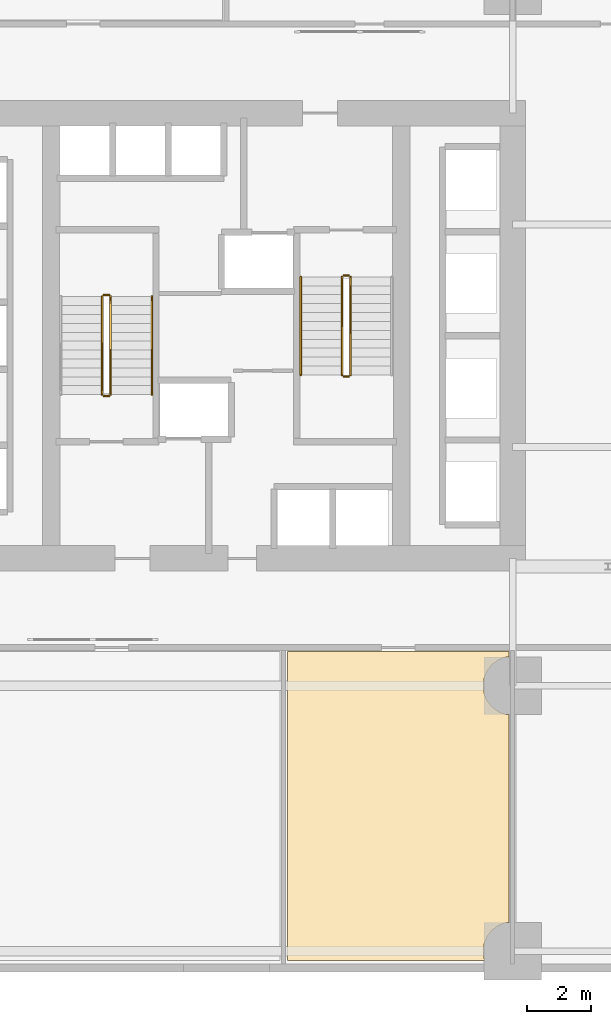
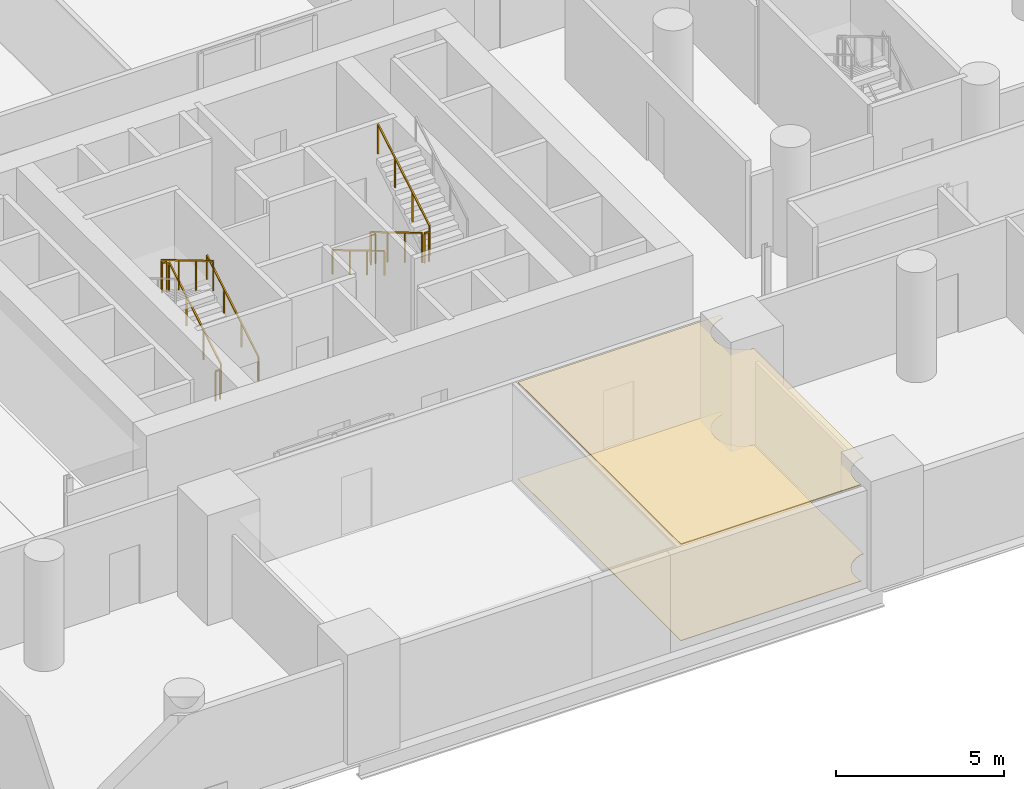
# One storey, part 13 of 15: 10 railings, 2 coverings.
"""IFC4 building model written with IfcOpenShell, lengths in metres."""

from ifc_helpers import new_model, si_unit, direction, frame, origin, origin_2d, place, context, subcontext, project, spatial, polyline, rectangle, outline, extrude, material, layer, layer_set, type_object, element, save


model = new_model("IFC4")

# Units and contexts
model_context = context("Model", 3, precision=1e-05, world=origin(), true_north=direction((0.0, 1.0)))
body_context = subcontext(model_context, "Body", "Model", "MODEL_VIEW")
ifc_project = project(units=[si_unit("LENGTHUNIT", "METRE"), si_unit("AREAUNIT", "SQUARE_METRE"), si_unit("VOLUMEUNIT", "CUBIC_METRE"), si_unit("PLANEANGLEUNIT", "RADIAN"), si_unit("MASSUNIT", "GRAM", prefix="KILO")], contexts=[model_context])

# Site, building, storey
site_placement = place(None, origin())
site = spatial("IfcSite", under=ifc_project, at=site_placement, CompositionType="ELEMENT")
building_placement = place(site_placement, origin())
building = spatial("IfcBuilding", under=site, at=building_placement, Name="Veldorim Arch Residences", CompositionType="ELEMENT")
storey_placement = place(building_placement, frame((0.0, 0.0, 16.0)))
storey = spatial("IfcBuildingStorey", under=building, at=storey_placement, Name="L04", CompositionType="ELEMENT", Elevation=16.0)

# Railings
ifc_material_1 = material(Name="Steel S355", Category="steel")
railing_type_1 = type_object("IfcRailingType", Name="Galvanised Steel Stair Safety Guardrail 1100", PredefinedType="GUARDRAIL", material=ifc_material_1)
railing_1_placement = place(storey_placement, frame((28.360107421875, 22.14990234375, 0.166748046875)))
element("IfcRailing", 1, at=railing_1_placement, inside=storey, type_object=railing_type_1, Name="L04 ST-1 stair guard 1", PredefinedType="GUARDRAIL", context=body_context, shape_type="SweptSolid", body=[
    extrude(rectangle(XDim=0.048095703125, YDim=0.048095703125, at=origin_2d()), frame((0.0, 0.0, 1.076171875), z_axis=(0.0, 0.859308565015, 0.511457515432), x_axis=(-1.0, 0.0, 0.0)), (0.0, 0.0, 1.0), 3.58447265625),
    extrude(rectangle(XDim=0.0419921875, YDim=0.0419921875, at=origin_2d()), origin(), (0.0, 0.0, 1.0), 1.052001953125),
    extrude(rectangle(XDim=0.0419921875, YDim=0.0419921875, at=origin_2d()), frame((0.0, 1.026611328125, 0.611083984375)), (0.0, 0.0, 1.0), 1.052001953125),
    extrude(rectangle(XDim=0.0419921875, YDim=0.0419921875, at=origin_2d()), frame((0.0, 2.053466796875, 1.22216796875)), (0.0, 0.0, 1.0), 1.052001953125),
    extrude(rectangle(XDim=0.0419921875, YDim=0.0419921875, at=origin_2d()), frame((0.0, 3.080078125, 1.833251953125)), (0.0, 0.0, 1.0), 1.052001953125),
])
railing_2_placement = place(storey_placement, frame((28.31005859375, 25.280029296875, 2.0)))
element("IfcRailing", 2, at=railing_2_placement, inside=storey, type_object=railing_type_1, Name="L04 ST-1 stair guard 2", PredefinedType="GUARDRAIL", context=body_context, shape_type="SweptSolid", body=[
    extrude(rectangle(XDim=0.048095703125, YDim=0.048095703125, at=origin_2d()), frame((0.0, 0.0, 1.076171875), z_axis=(-1.0, 0.0, 0.0), x_axis=(0.0, -1.0, 0.0)), (0.0, 0.0, 1.0), 0.16015625),
    extrude(rectangle(XDim=0.0419921875, YDim=0.0419921875, at=origin_2d()), origin(), (0.0, 0.0, 1.0), 1.052001953125),
    extrude(rectangle(XDim=0.0419921875, YDim=0.0419921875, at=origin_2d()), frame((-0.16015625, 0.0, 0.0)), (0.0, 0.0, 1.0), 1.052001953125),
])
railing_3_placement = place(storey_placement, frame((28.10009765625, 25.22998046875, 2.166748046875)))
element("IfcRailing", 3, at=railing_3_placement, inside=storey, type_object=railing_type_1, Name="L04 ST-1 stair guard 3", PredefinedType="GUARDRAIL", context=body_context, shape_type="SweptSolid", body=[
    extrude(rectangle(XDim=0.048095703125, YDim=0.048095703125, at=origin_2d()), frame((0.0, 0.0, 1.076171875), z_axis=(0.0, -0.859308565015, 0.511457515432), x_axis=(1.0, 0.0, 0.0)), (0.0, 0.0, 1.0), 3.58447265625),
    extrude(rectangle(XDim=0.0419921875, YDim=0.0419921875, at=origin_2d()), origin(), (0.0, 0.0, 1.0), 1.052001953125),
    extrude(rectangle(XDim=0.0419921875, YDim=0.0419921875, at=origin_2d()), frame((0.0, -1.026611328125, 0.611083984375)), (0.0, 0.0, 1.0), 1.052001953125),
    extrude(rectangle(XDim=0.0419921875, YDim=0.0419921875, at=origin_2d()), frame((0.0, -2.053466796875, 1.22216796875)), (0.0, 0.0, 1.0), 1.052001953125),
    extrude(rectangle(XDim=0.0419921875, YDim=0.0419921875, at=origin_2d()), frame((0.0, -3.080078125, 1.833251953125)), (0.0, 0.0, 1.0), 1.052001953125),
])
railing_4_placement = place(storey_placement, frame((28.31005859375, 22.10009765625, 0.0)))
element("IfcRailing", 4, at=railing_4_placement, inside=storey, type_object=railing_type_1, Name="L04 ST-1 stair guard 4", PredefinedType="GUARDRAIL", context=body_context, shape_type="SweptSolid", body=[
    extrude(rectangle(XDim=0.048095703125, YDim=0.048095703125, at=origin_2d()), frame((0.0, 0.0, 1.076171875), z_axis=(-1.0, 0.0, 0.0), x_axis=(0.0, -1.0, 0.0)), (0.0, 0.0, 1.0), 0.16015625),
    extrude(rectangle(XDim=0.0419921875, YDim=0.0419921875, at=origin_2d()), origin(), (0.0, 0.0, 1.0), 1.052001953125),
    extrude(rectangle(XDim=0.0419921875, YDim=0.0419921875, at=origin_2d()), frame((-0.16015625, 0.0, 0.0)), (0.0, 0.0, 1.0), 1.052001953125),
])
railing_5_placement = place(storey_placement, frame((35.639892578125, 25.85009765625, 0.166748046875)))
element("IfcRailing", 5, at=railing_5_placement, inside=storey, type_object=railing_type_1, Name="L04 ST-2 stair guard 1", PredefinedType="GUARDRAIL", context=body_context, shape_type="SweptSolid", body=[
    extrude(rectangle(XDim=0.048095703125, YDim=0.048095703125, at=origin_2d()), frame((0.0, 0.0, 1.076171875), z_axis=(0.0, -0.859308565015, 0.511457515432), x_axis=(1.0, 0.0, 0.0)), (0.0, 0.0, 1.0), 3.58447265625),
    extrude(rectangle(XDim=0.0419921875, YDim=0.0419921875, at=origin_2d()), origin(), (0.0, 0.0, 1.0), 1.052001953125),
    extrude(rectangle(XDim=0.0419921875, YDim=0.0419921875, at=origin_2d()), frame((0.0, -1.026611328125, 0.611083984375)), (0.0, 0.0, 1.0), 1.052001953125),
    extrude(rectangle(XDim=0.0419921875, YDim=0.0419921875, at=origin_2d()), frame((0.0, -2.053466796875, 1.22216796875)), (0.0, 0.0, 1.0), 1.052001953125),
    extrude(rectangle(XDim=0.0419921875, YDim=0.0419921875, at=origin_2d()), frame((0.0, -3.080078125, 1.833251953125)), (0.0, 0.0, 1.0), 1.052001953125),
])
railing_6_placement = place(storey_placement, frame((35.68994140625, 22.719970703125, 2.0)))
element("IfcRailing", 6, at=railing_6_placement, inside=storey, type_object=railing_type_1, Name="L04 ST-2 stair guard 2", PredefinedType="GUARDRAIL", context=body_context, shape_type="SweptSolid", body=[
    extrude(rectangle(XDim=0.048095703125, YDim=0.048095703125, at=origin_2d()), frame((0.0, 0.0, 1.076171875), z_axis=(1.0, 0.0, 0.0), x_axis=(0.0, 1.0, 0.0)), (0.0, 0.0, 1.0), 0.16015625),
    extrude(rectangle(XDim=0.0419921875, YDim=0.0419921875, at=origin_2d()), origin(), (0.0, 0.0, 1.0), 1.052001953125),
    extrude(rectangle(XDim=0.0419921875, YDim=0.0419921875, at=origin_2d()), frame((0.16015625, 0.0, 0.0)), (0.0, 0.0, 1.0), 1.052001953125),
])
railing_7_placement = place(storey_placement, frame((35.89990234375, 22.77001953125, 2.166748046875)))
element("IfcRailing", 7, at=railing_7_placement, inside=storey, type_object=railing_type_1, Name="L04 ST-2 stair guard 3", PredefinedType="GUARDRAIL", context=body_context, shape_type="SweptSolid", body=[
    extrude(rectangle(XDim=0.048095703125, YDim=0.048095703125, at=origin_2d()), frame((0.0, 0.0, 1.076171875), z_axis=(0.0, 0.859308565015, 0.511457515432), x_axis=(-1.0, 0.0, 0.0)), (0.0, 0.0, 1.0), 3.58447265625),
    extrude(rectangle(XDim=0.0419921875, YDim=0.0419921875, at=origin_2d()), origin(), (0.0, 0.0, 1.0), 1.052001953125),
    extrude(rectangle(XDim=0.0419921875, YDim=0.0419921875, at=origin_2d()), frame((0.0, 1.026611328125, 0.611083984375)), (0.0, 0.0, 1.0), 1.052001953125),
    extrude(rectangle(XDim=0.0419921875, YDim=0.0419921875, at=origin_2d()), frame((0.0, 2.053466796875, 1.22216796875)), (0.0, 0.0, 1.0), 1.052001953125),
    extrude(rectangle(XDim=0.0419921875, YDim=0.0419921875, at=origin_2d()), frame((0.0, 3.080078125, 1.833251953125)), (0.0, 0.0, 1.0), 1.052001953125),
])
railing_8_placement = place(storey_placement, frame((35.68994140625, 25.89990234375, 0.0)))
element("IfcRailing", 8, at=railing_8_placement, inside=storey, type_object=railing_type_1, Name="L04 ST-2 stair guard 4", PredefinedType="GUARDRAIL", context=body_context, shape_type="SweptSolid", body=[
    extrude(rectangle(XDim=0.048095703125, YDim=0.048095703125, at=origin_2d()), frame((0.0, 0.0, 1.076171875), z_axis=(1.0, 0.0, 0.0), x_axis=(0.0, 1.0, 0.0)), (0.0, 0.0, 1.0), 0.16015625),
    extrude(rectangle(XDim=0.0419921875, YDim=0.0419921875, at=origin_2d()), origin(), (0.0, 0.0, 1.0), 1.052001953125),
    extrude(rectangle(XDim=0.0419921875, YDim=0.0419921875, at=origin_2d()), frame((0.16015625, 0.0, 0.0)), (0.0, 0.0, 1.0), 1.052001953125),
])

# Coverings
ifc_material_2 = material(Name="Acoustic Gypsum & Mineral Fibre", Category="gypsum")
ifc_layer_1 = layer(ifc_material_2, 0.034912109375, Name="Perforated Acoustic Mineral-Fibre Ceiling 35")
ifc_layer_set_1 = layer_set([ifc_layer_1], Name="Acoustic Gypsum & Mineral Fibre")
covering_type_1 = type_object("IfcCoveringType", Name="Perforated Acoustic Mineral-Fibre Ceiling 35", PredefinedType="CEILING", material=ifc_layer_set_1)
covering_1_placement = place(storey_placement, frame((0.0, 0.0, 3.4951171875)))
element("IfcCovering", 9, at=covering_1_placement, inside=storey, type_object=covering_type_1, Name="L04 acoustic suspended ceiling 05", PredefinedType="CEILING", context=body_context, shape_type="SweptSolid", body=[
    extrude(outline(polyline([(40.8798828125, 14.080078125), (40.8798828125, 13.9091796875), (40.760498046875, 13.8935546875), (40.53759765625, 13.801025390625), (40.345947265625, 13.654052734375), (40.198974609375, 13.46240234375), (40.1064453125, 13.239501953125), (40.074951171875, 13.0), (40.1064453125, 12.760498046875), (40.198974609375, 12.53759765625), (40.345947265625, 12.345947265625), (40.53759765625, 12.198974609375), (40.760498046875, 12.1064453125), (40.8798828125, 12.0908203125), (40.8798828125, 5.55908203125), (40.760498046875, 5.54345703125), (40.53759765625, 5.451171875), (40.345947265625, 5.30419921875), (40.198974609375, 5.112548828125), (40.1064453125, 4.889404296875), (40.074951171875, 4.64990234375), (40.1064453125, 4.41064453125), (40.123291015625, 4.3701171875), (33.919921875, 4.3701171875), (33.919921875, 14.080078125), (40.8798828125, 14.080078125)])), origin(), (0.0, 0.0, 1.0), 0.034912109375),
])
ifc_material_3 = material(Name="Porcelain Ceramic Tile", Category="ceramic")
ifc_layer_2 = layer(ifc_material_3, 0.02001953125, Name="Slip-Resistant Porcelain & Vinyl Floor Finish 20")
ifc_layer_set_2 = layer_set([ifc_layer_2], Name="Porcelain Ceramic Tile")
covering_type_2 = type_object("IfcCoveringType", Name="Slip-Resistant Porcelain & Vinyl Floor Finish 20", PredefinedType="FLOORING", material=ifc_layer_set_2)
covering_2_placement = place(storey_placement, origin())
element("IfcCovering", 10, at=covering_2_placement, inside=storey, type_object=covering_type_2, Name="L04 porcelain floor finish 05", PredefinedType="FLOORING", context=body_context, shape_type="SweptSolid", body=[
    extrude(outline(polyline([(40.8798828125, 14.080078125), (40.8798828125, 13.9091796875), (40.760498046875, 13.8935546875), (40.53759765625, 13.801025390625), (40.345947265625, 13.654052734375), (40.198974609375, 13.46240234375), (40.1064453125, 13.239501953125), (40.074951171875, 13.0), (40.1064453125, 12.760498046875), (40.198974609375, 12.53759765625), (40.345947265625, 12.345947265625), (40.53759765625, 12.198974609375), (40.760498046875, 12.1064453125), (40.8798828125, 12.0908203125), (40.8798828125, 5.55908203125), (40.760498046875, 5.54345703125), (40.53759765625, 5.451171875), (40.345947265625, 5.30419921875), (40.198974609375, 5.112548828125), (40.1064453125, 4.889404296875), (40.074951171875, 4.64990234375), (40.1064453125, 4.41064453125), (40.123291015625, 4.3701171875), (33.919921875, 4.3701171875), (33.919921875, 14.080078125), (40.8798828125, 14.080078125)])), origin(), (0.0, 0.0, 1.0), 0.02001953125),
])

# Railings
ifc_material_4 = material(Name="Stainless Steel", Category="steel")
railing_type_2 = type_object("IfcRailingType", Name="Tubular Steel Continuous Wall Handrail 900", PredefinedType="HANDRAIL", material=ifc_material_4)
railing_9_placement = place(storey_placement, frame((29.659912109375, 22.14990234375, 0.166748046875)))
element("IfcRailing", 11, at=railing_9_placement, inside=storey, type_object=railing_type_2, Name="L04 ST-1 stair handrail 1", PredefinedType="HANDRAIL", context=body_context, shape_type="SweptSolid", body=[
    extrude(rectangle(XDim=0.048095703125, YDim=0.048095703125, at=origin_2d()), frame((0.0, 0.0, 0.8759765625), z_axis=(0.0, 0.859308565015, 0.511457515432), x_axis=(-1.0, 0.0, 0.0)), (0.0, 0.0, 1.0), 3.58447265625),
    extrude(rectangle(XDim=0.0419921875, YDim=0.0419921875, at=origin_2d()), origin(), (0.0, 0.0, 1.0), 0.851806640625),
    extrude(rectangle(XDim=0.0419921875, YDim=0.0419921875, at=origin_2d()), frame((0.0, 1.026611328125, 0.611083984375)), (0.0, 0.0, 1.0), 0.851806640625),
    extrude(rectangle(XDim=0.0419921875, YDim=0.0419921875, at=origin_2d()), frame((0.0, 2.053466796875, 1.22216796875)), (0.0, 0.0, 1.0), 0.851806640625),
    extrude(rectangle(XDim=0.0419921875, YDim=0.0419921875, at=origin_2d()), frame((0.0, 3.080078125, 1.833251953125)), (0.0, 0.0, 1.0), 0.851806640625),
])
railing_10_placement = place(storey_placement, frame((34.340087890625, 25.85009765625, 0.166748046875)))
element("IfcRailing", 12, at=railing_10_placement, inside=storey, type_object=railing_type_2, Name="L04 ST-2 stair handrail 1", PredefinedType="HANDRAIL", context=body_context, shape_type="SweptSolid", body=[
    extrude(rectangle(XDim=0.048095703125, YDim=0.048095703125, at=origin_2d()), frame((0.0, 0.0, 0.8759765625), z_axis=(0.0, -0.859308565015, 0.511457515432), x_axis=(1.0, 0.0, 0.0)), (0.0, 0.0, 1.0), 3.58447265625),
    extrude(rectangle(XDim=0.0419921875, YDim=0.0419921875, at=origin_2d()), origin(), (0.0, 0.0, 1.0), 0.851806640625),
    extrude(rectangle(XDim=0.0419921875, YDim=0.0419921875, at=origin_2d()), frame((0.0, -1.026611328125, 0.611083984375)), (0.0, 0.0, 1.0), 0.851806640625),
    extrude(rectangle(XDim=0.0419921875, YDim=0.0419921875, at=origin_2d()), frame((0.0, -2.053466796875, 1.22216796875)), (0.0, 0.0, 1.0), 0.851806640625),
    extrude(rectangle(XDim=0.0419921875, YDim=0.0419921875, at=origin_2d()), frame((0.0, -3.080078125, 1.833251953125)), (0.0, 0.0, 1.0), 0.851806640625),
])

save(model, "model.ifc")
